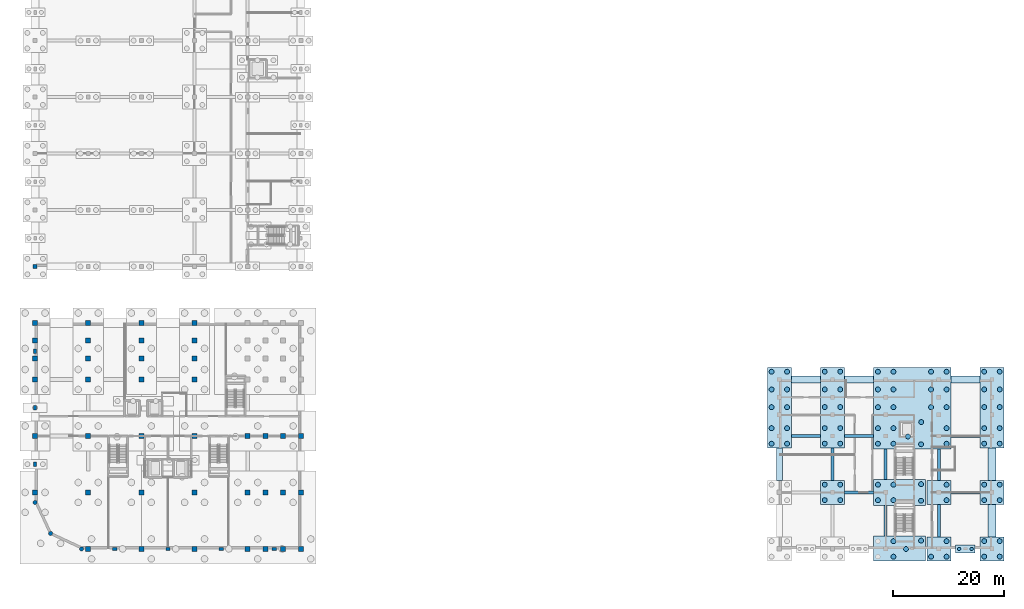
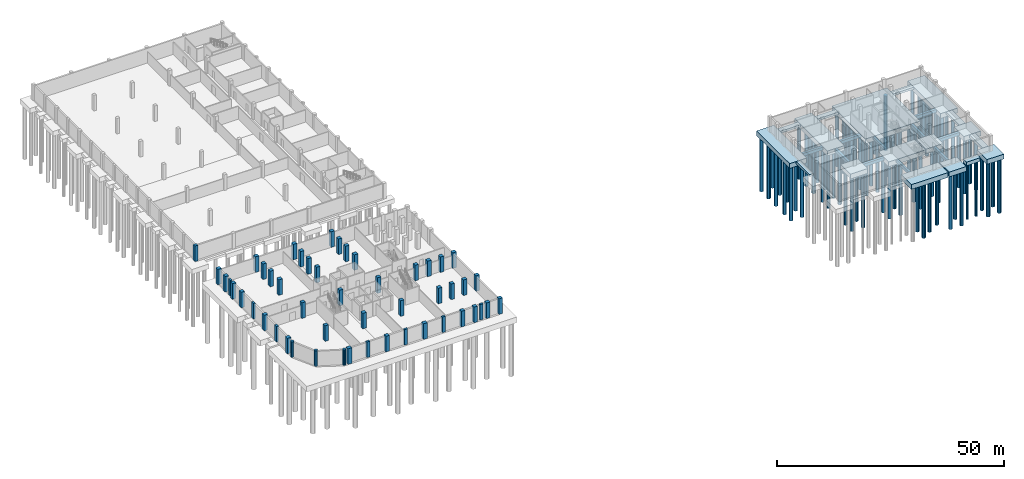
# One storey, part 5 of 18: 80 piles, 50 columns, 28 footings.
"""IFC4 building model written with IfcOpenShell, lengths in metres."""

from ifc_helpers import new_model, si_unit, direction, frame, origin, origin_2d, place, context, subcontext, project, spatial, polyline, rectangle, circle, outline, extrude, material, material_profile, profile_set, type_object, element, save


model = new_model("IFC4")

# Units and contexts
model_context = context("Model", 3, precision=1e-05, world=origin(), true_north=direction((0.0, 1.0)))
body_context = subcontext(model_context, "Body", "Model", "MODEL_VIEW")
ifc_project = project(units=[si_unit("LENGTHUNIT", "METRE"), si_unit("AREAUNIT", "SQUARE_METRE"), si_unit("VOLUMEUNIT", "CUBIC_METRE"), si_unit("PLANEANGLEUNIT", "RADIAN"), si_unit("MASSUNIT", "GRAM", prefix="KILO")], contexts=[model_context])

# Site, building, storey
site_placement = place(None, origin())
site = spatial("IfcSite", under=ifc_project, at=site_placement, CompositionType="ELEMENT")
building_placement = place(site_placement, origin())
building = spatial("IfcBuilding", under=site, at=building_placement, Name="Vondelvale Polytechnic", CompositionType="ELEMENT")
storey_placement = place(building_placement, frame((0.0, 0.0, -4.199951171875)))
storey = spatial("IfcBuildingStorey", under=building, at=storey_placement, Name="B1", CompositionType="ELEMENT", Elevation=-4.199951171875)

# Footings
ifc_material_1 = material(Name="Concrete N40 (f'c = 40 MPa)", Category="concrete")
footing_type_1 = type_object("IfcFootingType", Name="GB-550x750", PredefinedType="FOOTING_BEAM", material=ifc_material_1)
footing_1_placement = place(storey_placement, frame((0.0, 0.0, -1.150146484375)))
element("IfcFooting", 1, at=footing_1_placement, inside=storey, type_object=footing_type_1, Name="Ground tie beam GB-066", PredefinedType="FOOTING_BEAM", context=body_context, shape_type="SweptSolid", body=[
    extrude(outline(polyline([(144.27490234375, 12.3701171875), (143.72509765625, 12.3701171875), (143.72509765625, 18.22998046875), (144.27490234375, 18.22998046875), (144.27490234375, 12.3701171875)])), origin(), (0.0, 0.0, 1.0), 0.75),
])
footing_2_placement = place(storey_placement, frame((0.0, 0.0, -1.150146484375)))
element("IfcFooting", 2, at=footing_2_placement, inside=storey, type_object=footing_type_1, Name="Ground tie beam GB-067", PredefinedType="FOOTING_BEAM", context=body_context, shape_type="SweptSolid", body=[
    extrude(outline(polyline([(153.875, 2.35009765625), (153.324951171875, 2.35009765625), (153.324951171875, 7.85009765625), (153.875, 7.85009765625), (153.875, 2.35009765625)])), origin(), (0.0, 0.0, 1.0), 0.75),
])
footing_3_placement = place(storey_placement, frame((0.0, 0.0, -1.150146484375)))
element("IfcFooting", 3, at=footing_3_placement, inside=storey, type_object=footing_type_1, Name="Ground tie beam GB-068", PredefinedType="FOOTING_BEAM", context=body_context, shape_type="SweptSolid", body=[
    extrude(outline(polyline([(153.875, 12.550048828125), (153.324951171875, 12.550048828125), (153.324951171875, 18.050048828125), (153.875, 18.050048828125), (153.875, 12.550048828125)])), origin(), (0.0, 0.0, 1.0), 0.75),
])
footing_4_placement = place(storey_placement, frame((0.0, 0.0, -1.150146484375)))
element("IfcFooting", 4, at=footing_4_placement, inside=storey, type_object=footing_type_1, Name="Ground tie beam GB-069", PredefinedType="FOOTING_BEAM", context=body_context, shape_type="SweptSolid", body=[
    extrude(outline(polyline([(163.47509765625, 2.169921875), (162.925048828125, 2.169921875), (162.925048828125, 8.030029296875), (163.47509765625, 8.030029296875), (163.47509765625, 2.169921875)])), origin(), (0.0, 0.0, 1.0), 0.75),
])
footing_5_placement = place(storey_placement, frame((0.0, 0.0, -1.150146484375)))
element("IfcFooting", 5, at=footing_5_placement, inside=storey, type_object=footing_type_1, Name="Ground tie beam GB-070", PredefinedType="FOOTING_BEAM", context=body_context, shape_type="SweptSolid", body=[
    extrude(outline(polyline([(163.47509765625, 12.3701171875), (162.925048828125, 12.3701171875), (162.925048828125, 18.050048828125), (163.47509765625, 18.050048828125), (163.47509765625, 12.3701171875)])), origin(), (0.0, 0.0, 1.0), 0.75),
])
footing_type_2 = type_object("IfcFootingType", Name="GB-600x800", PredefinedType="FOOTING_BEAM", material=ifc_material_1)
footing_6_placement = place(storey_placement, frame((0.0, 0.0, -1.199951171875)))
element("IfcFooting", 6, at=footing_6_placement, inside=storey, type_object=footing_type_2, Name="Ground tie beam GB-060", PredefinedType="FOOTING_BEAM", context=body_context, shape_type="SweptSolid", body=[
    extrude(outline(polyline([(146.169921875, 9.89990234375), (146.169921875, 10.5), (151.429931640625, 10.5), (151.429931640625, 9.89990234375), (146.169921875, 9.89990234375)])), origin(), (0.0, 0.0, 1.0), 0.7998046875),
])
footing_7_placement = place(storey_placement, frame((0.0, 0.0, -1.199951171875)))
element("IfcFooting", 7, at=footing_7_placement, inside=storey, type_object=footing_type_2, Name="Ground tie beam GB-061", PredefinedType="FOOTING_BEAM", context=body_context, shape_type="SweptSolid", body=[
    extrude(outline(polyline([(165.3701171875, 9.89990234375), (165.3701171875, 10.5), (170.6298828125, 10.5), (170.6298828125, 9.89990234375), (165.3701171875, 9.89990234375)])), origin(), (0.0, 0.0, 1.0), 0.7998046875),
])
footing_8_placement = place(storey_placement, frame((0.0, 0.0, -1.199951171875)))
element("IfcFooting", 8, at=footing_8_placement, inside=storey, type_object=footing_type_2, Name="Ground tie beam GB-062", PredefinedType="FOOTING_BEAM", context=body_context, shape_type="SweptSolid", body=[
    extrude(outline(polyline([(136.570068359375, 20.10009765625), (136.570068359375, 20.699951171875), (141.830078125, 20.699951171875), (141.830078125, 20.10009765625), (136.570068359375, 20.10009765625)])), origin(), (0.0, 0.0, 1.0), 0.7998046875),
])
footing_9_placement = place(storey_placement, frame((0.0, 0.0, -1.199951171875)))
element("IfcFooting", 9, at=footing_9_placement, inside=storey, type_object=footing_type_2, Name="Ground tie beam GB-063", PredefinedType="FOOTING_BEAM", context=body_context, shape_type="SweptSolid", body=[
    extrude(outline(polyline([(146.169921875, 20.10009765625), (146.169921875, 20.699951171875), (151.429931640625, 20.699951171875), (151.429931640625, 20.10009765625), (146.169921875, 20.10009765625)])), origin(), (0.0, 0.0, 1.0), 0.7998046875),
])
footing_10_placement = place(storey_placement, frame((0.0, 0.0, -1.199951171875)))
element("IfcFooting", 10, at=footing_10_placement, inside=storey, type_object=footing_type_2, Name="Ground tie beam GB-064", PredefinedType="FOOTING_BEAM", context=body_context, shape_type="SweptSolid", body=[
    extrude(outline(polyline([(165.3701171875, 20.10009765625), (165.3701171875, 20.699951171875), (170.6298828125, 20.699951171875), (170.6298828125, 20.10009765625), (165.3701171875, 20.10009765625)])), origin(), (0.0, 0.0, 1.0), 0.7998046875),
])
footing_type_3 = type_object("IfcFootingType", Name="PC-14540x4340x1300", PredefinedType="PILE_CAP", material=ifc_material_1)
for number, where, z_axis, x_axis, name in (
    (11, (134.39990234375, 25.5, -1.7001953125), (0.0, 0.0, 1.0), (1.0, 0.0, 0.0), "Pile cap PC-199"),
    (12, (144.0, 25.5, -1.7001953125), (0.0, 0.0, 1.0), (1.0, 0.0, 0.0), "Pile cap PC-218"),
    (13, (172.800048828125, 25.5, -1.7001953125), (0.0, 0.0, 1.0), (1.0, 0.0, 0.0), "Pile cap PC-249"),
):
    element("IfcFooting", number, at=place(storey_placement, frame(where, z_axis=z_axis, x_axis=x_axis)), inside=storey, type_object=footing_type_3, Name=name, PredefinedType="PILE_CAP", context=body_context, shape_type="SweptSolid", body=[
        extrude(rectangle(XDim=4.340087890625, YDim=14.5400390625, at=origin_2d()), origin(), (0.0, 0.0, 1.0), 1.300048828125),
    ])
footing_type_4 = type_object("IfcFootingType", Name="PC-14720x13940x1300", PredefinedType="PILE_CAP", material=ifc_material_1)
footing_11_placement = place(storey_placement, frame((158.39990234375, 25.409912109375, -1.7001953125), z_axis=(0.0, 0.0, 1.0), x_axis=(1.0, 0.0, 0.0)))
element("IfcFooting", 14, at=footing_11_placement, inside=storey, type_object=footing_type_4, Name="Pile cap PC-231", PredefinedType="PILE_CAP", context=body_context, shape_type="SweptSolid", body=[
    extrude(rectangle(XDim=13.93994140625, YDim=14.719970703125, at=origin_2d()), origin(), (0.0, 0.0, 1.0), 1.300048828125),
])
footing_type_5 = type_object("IfcFootingType", Name="PC-3490x1500x1000", PredefinedType="PILE_CAP", material=ifc_material_1)
footing_12_placement = place(storey_placement, frame((168.0, 0.0, -1.400146484375), z_axis=(0.0, 0.0, 1.0), x_axis=(1.0, 0.0, 0.0)))
element("IfcFooting", 15, at=footing_12_placement, inside=storey, type_object=footing_type_5, Name="Pile cap PC-246", PredefinedType="PILE_CAP", context=body_context, shape_type="SweptSolid", body=[
    extrude(rectangle(XDim=3.489990234375, YDim=1.5, at=origin_2d()), origin(), (0.0, 0.0, 1.0), 1.0),
])
footing_type_6 = type_object("IfcFootingType", Name="PC-4340x4340x1300", PredefinedType="PILE_CAP", material=ifc_material_1)
for number, where, z_axis, x_axis, name in (
    (16, (144.0, 10.199951171875, -1.7001953125), (0.0, 0.0, 1.0), (1.0, 0.0, 0.0), "Pile cap PC-217"),
    (17, (163.199951171875, 0.0, -1.7001953125), (0.0, 0.0, 1.0), (1.0, 0.0, 0.0), "Pile cap PC-239"),
    (18, (163.199951171875, 10.199951171875, -1.7001953125), (0.0, 0.0, 1.0), (1.0, 0.0, 0.0), "Pile cap PC-240"),
    (19, (172.800048828125, 0.0, -1.7001953125), (0.0, 0.0, 1.0), (1.0, 0.0, 0.0), "Pile cap PC-247"),
    (20, (172.800048828125, 10.199951171875, -1.7001953125), (0.0, 0.0, 1.0), (1.0, 0.0, 0.0), "Pile cap PC-248"),
):
    element("IfcFooting", number, at=place(storey_placement, frame(where, z_axis=z_axis, x_axis=x_axis)), inside=storey, type_object=footing_type_6, Name=name, PredefinedType="PILE_CAP", context=body_context, shape_type="SweptSolid", body=[
        extrude(rectangle(XDim=4.340087890625, YDim=4.340087890625, at=origin_2d()), origin(), (0.0, 0.0, 1.0), 1.300048828125),
    ])
footing_type_7 = type_object("IfcFootingType", Name="PC-9340x4520x1300", PredefinedType="PILE_CAP", material=ifc_material_1)
footing_13_placement = place(storey_placement, frame((156.10009765625, 0.090087890625, -1.7001953125), z_axis=(0.0, 0.0, 1.0), x_axis=(1.0, 0.0, 0.0)))
element("IfcFooting", 21, at=footing_13_placement, inside=storey, type_object=footing_type_7, Name="Pile cap PC-229", PredefinedType="PILE_CAP", context=body_context, shape_type="SweptSolid", body=[
    extrude(rectangle(XDim=9.340087890625, YDim=4.52001953125, at=origin_2d()), origin(), (0.0, 0.0, 1.0), 1.300048828125),
])
footing_type_8 = type_object("IfcFootingType", Name="PC-9340x4700x1300", PredefinedType="PILE_CAP", material=ifc_material_1)
footing_14_placement = place(storey_placement, frame((156.10009765625, 10.199951171875, -1.7001953125), z_axis=(0.0, 0.0, 1.0), x_axis=(1.0, 0.0, 0.0)))
element("IfcFooting", 22, at=footing_14_placement, inside=storey, type_object=footing_type_8, Name="Pile cap PC-230", PredefinedType="PILE_CAP", context=body_context, shape_type="SweptSolid", body=[
    extrude(rectangle(XDim=9.340087890625, YDim=4.699951171875, at=origin_2d()), origin(), (0.0, 0.0, 1.0), 1.300048828125),
])

# Piles
ifc_material_profile_1 = material_profile(ifc_material_1, circle(Radius=0.300048828125, at=origin_2d()), Name="PILE-D600")
ifc_profile_set_1 = profile_set([ifc_material_profile_1], Name="Concrete N40 (f'c = 40 MPa)")
pile_type_1 = type_object("IfcPileType", Name="PILE-BORED-600", PredefinedType="BORED", material=ifc_profile_set_1)
for number, where, z_axis, x_axis, name in (
    (23, (166.875, 0.0, -1.25), (0.0, 0.0, -1.0), (1.0, 0.0, 0.0), "Bored pile BP-600-246-1"),
    (24, (169.125, 0.0, -1.25), (0.0, 0.0, -1.0), (1.0, 0.0, 0.0), "Bored pile BP-600-246-2"),
):
    element("IfcPile", number, at=place(storey_placement, frame(where, z_axis=z_axis, x_axis=x_axis)), inside=storey, type_object=pile_type_1, Name=name, PredefinedType="BORED", context=body_context, shape_type="SweptSolid", body=[
        extrude(circle(Radius=0.300048828125, at=origin_2d()), origin(), (0.0, 0.0, 1.0), 15.050048828125),
    ])
ifc_material_profile_2 = material_profile(ifc_material_1, circle(Radius=0.449951171875, at=origin_2d()), Name="PILE-D900")
ifc_profile_set_2 = profile_set([ifc_material_profile_2], Name="Concrete N40 (f'c = 40 MPa)")
pile_type_2 = type_object("IfcPileType", Name="PILE-BORED-900", PredefinedType="BORED", material=ifc_profile_set_2)
for number, where, z_axis, x_axis, name in (
    (25, (133.0, 19.0, -1.550048828125), (0.0, 0.0, -1.0), (1.0, 0.0, 0.0), "Bored pile BP-900-199-1"),
    (26, (135.800048828125, 19.0, -1.550048828125), (0.0, 0.0, -1.0), (1.0, 0.0, 0.0), "Bored pile BP-900-199-2"),
    (27, (133.0, 21.800048828125, -1.550048828125), (0.0, 0.0, -1.0), (1.0, 0.0, 0.0), "Bored pile BP-900-199-3"),
    (28, (135.800048828125, 21.800048828125, -1.550048828125), (0.0, 0.0, -1.0), (1.0, 0.0, 0.0), "Bored pile BP-900-199-4"),
    (29, (133.0, 25.60009765625, -1.550048828125), (0.0, 0.0, -1.0), (1.0, 0.0, 0.0), "Bored pile BP-900-199-5"),
    (30, (135.800048828125, 25.60009765625, -1.550048828125), (0.0, 0.0, -1.0), (1.0, 0.0, 0.0), "Bored pile BP-900-199-6"),
    (31, (133.0, 28.800048828125, -1.550048828125), (0.0, 0.0, -1.0), (1.0, 0.0, 0.0), "Bored pile BP-900-199-7"),
    (32, (135.800048828125, 28.800048828125, -1.550048828125), (0.0, 0.0, -1.0), (1.0, 0.0, 0.0), "Bored pile BP-900-199-8"),
    (33, (133.0, 32.0, -1.550048828125), (0.0, 0.0, -1.0), (1.0, 0.0, 0.0), "Bored pile BP-900-199-9"),
    (34, (135.800048828125, 32.0, -1.550048828125), (0.0, 0.0, -1.0), (1.0, 0.0, 0.0), "Bored pile BP-900-199-10"),
    (35, (142.60009765625, 8.800048828125, -1.550048828125), (0.0, 0.0, -1.0), (1.0, 0.0, 0.0), "Bored pile BP-900-217-1"),
    (36, (145.39990234375, 8.800048828125, -1.550048828125), (0.0, 0.0, -1.0), (1.0, 0.0, 0.0), "Bored pile BP-900-217-2"),
    (37, (142.60009765625, 11.60009765625, -1.550048828125), (0.0, 0.0, -1.0), (1.0, 0.0, 0.0), "Bored pile BP-900-217-3"),
    (38, (145.39990234375, 11.60009765625, -1.550048828125), (0.0, 0.0, -1.0), (1.0, 0.0, 0.0), "Bored pile BP-900-217-4"),
    (39, (142.60009765625, 19.0, -1.550048828125), (0.0, 0.0, -1.0), (1.0, 0.0, 0.0), "Bored pile BP-900-218-1"),
    (40, (145.39990234375, 19.0, -1.550048828125), (0.0, 0.0, -1.0), (1.0, 0.0, 0.0), "Bored pile BP-900-218-2"),
    (41, (142.60009765625, 21.800048828125, -1.550048828125), (0.0, 0.0, -1.0), (1.0, 0.0, 0.0), "Bored pile BP-900-218-3"),
    (42, (145.39990234375, 21.800048828125, -1.550048828125), (0.0, 0.0, -1.0), (1.0, 0.0, 0.0), "Bored pile BP-900-218-4"),
    (43, (142.60009765625, 25.60009765625, -1.550048828125), (0.0, 0.0, -1.0), (1.0, 0.0, 0.0), "Bored pile BP-900-218-5"),
    (44, (145.39990234375, 25.60009765625, -1.550048828125), (0.0, 0.0, -1.0), (1.0, 0.0, 0.0), "Bored pile BP-900-218-6"),
    (45, (142.60009765625, 28.800048828125, -1.550048828125), (0.0, 0.0, -1.0), (1.0, 0.0, 0.0), "Bored pile BP-900-218-7"),
    (46, (145.39990234375, 28.800048828125, -1.550048828125), (0.0, 0.0, -1.0), (1.0, 0.0, 0.0), "Bored pile BP-900-218-8"),
    (47, (142.60009765625, 32.0, -1.550048828125), (0.0, 0.0, -1.0), (1.0, 0.0, 0.0), "Bored pile BP-900-218-9"),
    (48, (145.39990234375, 32.0, -1.550048828125), (0.0, 0.0, -1.0), (1.0, 0.0, 0.0), "Bored pile BP-900-218-10"),
    (49, (155.0, -1.39990234375, -1.550048828125), (0.0, 0.0, -1.0), (1.0, 0.0, 0.0), "Bored pile BP-900-229-2"),
    (50, (155.0, 1.39990234375, -1.550048828125), (0.0, 0.0, -1.0), (1.0, 0.0, 0.0), "Bored pile BP-900-229-4"),
    (51, (157.27490234375, 0.0, -1.550048828125), (0.0, 0.0, -1.0), (1.0, 0.0, 0.0), "Bored pile BP-900-229-5"),
    (52, (160.0, 1.5, -1.550048828125), (0.0, 0.0, -1.0), (1.0, 0.0, 0.0), "Bored pile BP-900-229-6"),
    (53, (152.199951171875, 8.800048828125, -1.550048828125), (0.0, 0.0, -1.0), (1.0, 0.0, 0.0), "Bored pile BP-900-230-1"),
    (54, (155.0, 8.800048828125, -1.550048828125), (0.0, 0.0, -1.0), (1.0, 0.0, 0.0), "Bored pile BP-900-230-2"),
    (55, (152.199951171875, 11.60009765625, -1.550048828125), (0.0, 0.0, -1.0), (1.0, 0.0, 0.0), "Bored pile BP-900-230-3"),
    (56, (155.0, 11.60009765625, -1.550048828125), (0.0, 0.0, -1.0), (1.0, 0.0, 0.0), "Bored pile BP-900-230-4"),
    (57, (160.0, 8.699951171875, -1.550048828125), (0.0, 0.0, -1.0), (1.0, 0.0, 0.0), "Bored pile BP-900-230-5"),
    (58, (160.0, 11.699951171875, -1.550048828125), (0.0, 0.0, -1.0), (1.0, 0.0, 0.0), "Bored pile BP-900-230-6"),
    (59, (152.199951171875, 19.0, -1.550048828125), (0.0, 0.0, -1.0), (1.0, 0.0, 0.0), "Bored pile BP-900-231-1"),
    (60, (155.0, 19.0, -1.550048828125), (0.0, 0.0, -1.0), (1.0, 0.0, 0.0), "Bored pile BP-900-231-2"),
    (61, (152.199951171875, 21.800048828125, -1.550048828125), (0.0, 0.0, -1.0), (1.0, 0.0, 0.0), "Bored pile BP-900-231-3"),
    (62, (155.0, 21.800048828125, -1.550048828125), (0.0, 0.0, -1.0), (1.0, 0.0, 0.0), "Bored pile BP-900-231-4"),
    (63, (152.199951171875, 25.60009765625, -1.550048828125), (0.0, 0.0, -1.0), (1.0, 0.0, 0.0), "Bored pile BP-900-231-5"),
    (64, (155.0, 25.60009765625, -1.550048828125), (0.0, 0.0, -1.0), (1.0, 0.0, 0.0), "Bored pile BP-900-231-6"),
    (65, (152.199951171875, 28.800048828125, -1.550048828125), (0.0, 0.0, -1.0), (1.0, 0.0, 0.0), "Bored pile BP-900-231-7"),
    (66, (155.0, 28.800048828125, -1.550048828125), (0.0, 0.0, -1.0), (1.0, 0.0, 0.0), "Bored pile BP-900-231-8"),
    (67, (152.199951171875, 32.0, -1.550048828125), (0.0, 0.0, -1.0), (1.0, 0.0, 0.0), "Bored pile BP-900-231-9"),
    (68, (155.0, 32.0, -1.550048828125), (0.0, 0.0, -1.0), (1.0, 0.0, 0.0), "Bored pile BP-900-231-10"),
    (69, (157.625, 20.300048828125, -1.550048828125), (0.0, 0.0, -1.0), (1.0, 0.0, 0.0), "Bored pile BP-900-231-11"),
    (70, (160.0, 18.89990234375, -1.550048828125), (0.0, 0.0, -1.0), (1.0, 0.0, 0.0), "Bored pile BP-900-231-12"),
    (71, (160.02490234375, 22.89990234375, -1.550048828125), (0.0, 0.0, -1.0), (1.0, 0.0, 0.0), "Bored pile BP-900-231-13"),
    (72, (164.60009765625, 19.0, -1.550048828125), (0.0, 0.0, -1.0), (1.0, 0.0, 0.0), "Bored pile BP-900-231-14"),
    (73, (164.60009765625, 21.800048828125, -1.550048828125), (0.0, 0.0, -1.0), (1.0, 0.0, 0.0), "Bored pile BP-900-231-15"),
    (74, (161.800048828125, 25.60009765625, -1.550048828125), (0.0, 0.0, -1.0), (1.0, 0.0, 0.0), "Bored pile BP-900-231-16"),
    (75, (164.60009765625, 25.60009765625, -1.550048828125), (0.0, 0.0, -1.0), (1.0, 0.0, 0.0), "Bored pile BP-900-231-17"),
    (76, (161.800048828125, 28.800048828125, -1.550048828125), (0.0, 0.0, -1.0), (1.0, 0.0, 0.0), "Bored pile BP-900-231-18"),
    (77, (164.60009765625, 28.800048828125, -1.550048828125), (0.0, 0.0, -1.0), (1.0, 0.0, 0.0), "Bored pile BP-900-231-19"),
    (78, (161.800048828125, 32.0, -1.550048828125), (0.0, 0.0, -1.0), (1.0, 0.0, 0.0), "Bored pile BP-900-231-20"),
    (79, (164.60009765625, 32.0, -1.550048828125), (0.0, 0.0, -1.0), (1.0, 0.0, 0.0), "Bored pile BP-900-231-21"),
    (80, (161.800048828125, -1.39990234375, -1.550048828125), (0.0, 0.0, -1.0), (1.0, 0.0, 0.0), "Bored pile BP-900-239-1"),
    (81, (164.60009765625, -1.39990234375, -1.550048828125), (0.0, 0.0, -1.0), (1.0, 0.0, 0.0), "Bored pile BP-900-239-2"),
    (82, (164.60009765625, 1.39990234375, -1.550048828125), (0.0, 0.0, -1.0), (1.0, 0.0, 0.0), "Bored pile BP-900-239-3"),
    (83, (164.60009765625, 8.800048828125, -1.550048828125), (0.0, 0.0, -1.0), (1.0, 0.0, 0.0), "Bored pile BP-900-240-1"),
    (84, (164.60009765625, 11.60009765625, -1.550048828125), (0.0, 0.0, -1.0), (1.0, 0.0, 0.0), "Bored pile BP-900-240-2"),
    (85, (171.39990234375, -1.39990234375, -1.550048828125), (0.0, 0.0, -1.0), (1.0, 0.0, 0.0), "Bored pile BP-900-247-1"),
    (86, (174.199951171875, -1.39990234375, -1.550048828125), (0.0, 0.0, -1.0), (1.0, 0.0, 0.0), "Bored pile BP-900-247-2"),
    (87, (171.39990234375, 1.39990234375, -1.550048828125), (0.0, 0.0, -1.0), (1.0, 0.0, 0.0), "Bored pile BP-900-247-3"),
    (88, (174.199951171875, 1.39990234375, -1.550048828125), (0.0, 0.0, -1.0), (1.0, 0.0, 0.0), "Bored pile BP-900-247-4"),
    (89, (171.39990234375, 8.800048828125, -1.550048828125), (0.0, 0.0, -1.0), (1.0, 0.0, 0.0), "Bored pile BP-900-248-1"),
    (90, (174.199951171875, 8.800048828125, -1.550048828125), (0.0, 0.0, -1.0), (1.0, 0.0, 0.0), "Bored pile BP-900-248-2"),
    (91, (171.39990234375, 11.60009765625, -1.550048828125), (0.0, 0.0, -1.0), (1.0, 0.0, 0.0), "Bored pile BP-900-248-3"),
    (92, (174.199951171875, 11.60009765625, -1.550048828125), (0.0, 0.0, -1.0), (1.0, 0.0, 0.0), "Bored pile BP-900-248-4"),
    (93, (171.39990234375, 19.0, -1.550048828125), (0.0, 0.0, -1.0), (1.0, 0.0, 0.0), "Bored pile BP-900-249-1"),
    (94, (174.199951171875, 19.0, -1.550048828125), (0.0, 0.0, -1.0), (1.0, 0.0, 0.0), "Bored pile BP-900-249-2"),
    (95, (171.39990234375, 21.800048828125, -1.550048828125), (0.0, 0.0, -1.0), (1.0, 0.0, 0.0), "Bored pile BP-900-249-3"),
    (96, (174.199951171875, 21.800048828125, -1.550048828125), (0.0, 0.0, -1.0), (1.0, 0.0, 0.0), "Bored pile BP-900-249-4"),
    (97, (171.39990234375, 25.60009765625, -1.550048828125), (0.0, 0.0, -1.0), (1.0, 0.0, 0.0), "Bored pile BP-900-249-5"),
    (98, (174.199951171875, 25.60009765625, -1.550048828125), (0.0, 0.0, -1.0), (1.0, 0.0, 0.0), "Bored pile BP-900-249-6"),
    (99, (171.39990234375, 28.800048828125, -1.550048828125), (0.0, 0.0, -1.0), (1.0, 0.0, 0.0), "Bored pile BP-900-249-7"),
    (100, (174.199951171875, 28.800048828125, -1.550048828125), (0.0, 0.0, -1.0), (1.0, 0.0, 0.0), "Bored pile BP-900-249-8"),
    (101, (171.39990234375, 32.0, -1.550048828125), (0.0, 0.0, -1.0), (1.0, 0.0, 0.0), "Bored pile BP-900-249-9"),
    (102, (174.199951171875, 32.0, -1.550048828125), (0.0, 0.0, -1.0), (1.0, 0.0, 0.0), "Bored pile BP-900-249-10"),
):
    element("IfcPile", number, at=place(storey_placement, frame(where, z_axis=z_axis, x_axis=x_axis)), inside=storey, type_object=pile_type_2, Name=name, PredefinedType="BORED", context=body_context, shape_type="SweptSolid", body=[
        extrude(circle(Radius=0.449951171875, at=origin_2d()), origin(), (0.0, 0.0, 1.0), 14.75),
    ])

# Footings
footing_type_9 = type_object("IfcFootingType", Name="SF-1100x550", PredefinedType="STRIP_FOOTING", material=ifc_material_1)
footing_15_placement = place(storey_placement, frame((0.0, 0.0, -0.949951171875)))
element("IfcFooting", 103, at=footing_15_placement, inside=storey, type_object=footing_type_9, Name="B1 continuous strip footing SF-052", PredefinedType="STRIP_FOOTING", context=body_context, shape_type="SweptSolid", body=[
    extrude(outline(polyline([(134.949951171875, 12.3701171875), (133.85009765625, 12.3701171875), (133.85009765625, 18.22998046875), (134.949951171875, 18.22998046875), (134.949951171875, 12.3701171875)])), origin(), (0.0, 0.0, 1.0), 0.5498046875),
])
footing_type_10 = type_object("IfcFootingType", Name="SF-1200x600", PredefinedType="STRIP_FOOTING", material=ifc_material_1)
footing_16_placement = place(storey_placement, frame((0.0, 0.0, -1.0)))
element("IfcFooting", 104, at=footing_16_placement, inside=storey, type_object=footing_type_10, Name="B1 continuous strip footing SF-047", PredefinedType="STRIP_FOOTING", context=body_context, shape_type="SweptSolid", body=[
    extrude(outline(polyline([(136.570068359375, 30.0), (136.570068359375, 31.199951171875), (141.830078125, 31.199951171875), (141.830078125, 30.0), (136.570068359375, 30.0)])), origin(), (0.0, 0.0, 1.0), 0.599853515625),
])
footing_17_placement = place(storey_placement, frame((0.0, 0.0, -1.0)))
element("IfcFooting", 105, at=footing_17_placement, inside=storey, type_object=footing_type_10, Name="B1 continuous strip footing SF-048", PredefinedType="STRIP_FOOTING", context=body_context, shape_type="SweptSolid", body=[
    extrude(outline(polyline([(146.169921875, 30.0), (146.169921875, 31.199951171875), (151.429931640625, 31.199951171875), (151.429931640625, 30.0), (146.169921875, 30.0)])), origin(), (0.0, 0.0, 1.0), 0.599853515625),
])
footing_18_placement = place(storey_placement, frame((0.0, 0.0, -1.0)))
element("IfcFooting", 106, at=footing_18_placement, inside=storey, type_object=footing_type_10, Name="B1 continuous strip footing SF-049", PredefinedType="STRIP_FOOTING", context=body_context, shape_type="SweptSolid", body=[
    extrude(outline(polyline([(165.3701171875, 30.0), (165.3701171875, 31.199951171875), (170.6298828125, 31.199951171875), (170.6298828125, 30.0), (165.3701171875, 30.0)])), origin(), (0.0, 0.0, 1.0), 0.599853515625),
])
footing_type_11 = type_object("IfcFootingType", Name="SF-1500x700", PredefinedType="STRIP_FOOTING", material=ifc_material_1)
footing_19_placement = place(storey_placement, frame((0.0, 0.0, -1.10009765625)))
element("IfcFooting", 107, at=footing_19_placement, inside=storey, type_object=footing_type_11, Name="B1 continuous strip footing SF-051", PredefinedType="STRIP_FOOTING", context=body_context, shape_type="SweptSolid", body=[
    extrude(outline(polyline([(173.550048828125, 2.169921875), (172.050048828125, 2.169921875), (172.050048828125, 8.030029296875), (173.550048828125, 8.030029296875), (173.550048828125, 2.169921875)])), origin(), (0.0, 0.0, 1.0), 0.699951171875),
])
footing_20_placement = place(storey_placement, frame((0.0, 0.0, -1.10009765625)))
element("IfcFooting", 108, at=footing_20_placement, inside=storey, type_object=footing_type_11, Name="B1 continuous strip footing SF-053", PredefinedType="STRIP_FOOTING", context=body_context, shape_type="SweptSolid", body=[
    extrude(outline(polyline([(173.550048828125, 12.3701171875), (172.050048828125, 12.3701171875), (172.050048828125, 18.22998046875), (173.550048828125, 18.22998046875), (173.550048828125, 12.3701171875)])), origin(), (0.0, 0.0, 1.0), 0.699951171875),
])

# Columns
ifc_material_2 = material(Name="Concrete N50 (f'c = 50 MPa)", Category="concrete")
ifc_material_profile_3 = material_profile(ifc_material_2, rectangle(XDim=0.75, YDim=0.75, at=origin_2d()), Name="RC-COL-750x750")
ifc_profile_set_3 = profile_set([ifc_material_profile_3], Name="Concrete N50 (f'c = 50 MPa)")
column_type_1 = type_object("IfcColumnType", Name="COL-RC750", PredefinedType="COLUMN", material=ifc_profile_set_3)
column_placement = place(storey_placement, frame((0.0, 51.0, 0.0), z_axis=(0.0, 0.0, 1.0), x_axis=(1.0, 0.0, 0.0)))
element("IfcColumn", 109, at=column_placement, inside=storey, type_object=column_type_1, Name="B1 workshop column (0.0,51.0)", PredefinedType="COLUMN", context=body_context, shape_type="SweptSolid", body=[
    extrude(rectangle(XDim=0.75, YDim=0.75, at=origin_2d()), origin(), (0.0, 0.0, 1.0), 4.199951171875),
])
ifc_material_profile_4 = material_profile(ifc_material_2, rectangle(XDim=0.89990234375, YDim=0.89990234375, at=origin_2d()), Name="RC-COL-900x900")
ifc_profile_set_4 = profile_set([ifc_material_profile_4], Name="Concrete N50 (f'c = 50 MPa)")
column_type_2 = type_object("IfcColumnType", Name="COL-RC900", PredefinedType="COLUMN", material=ifc_profile_set_4)
for number, where, z_axis, x_axis, name in (
    (110, (0.0, 10.199951171875, 0.0), (0.0, 0.0, 1.0), (1.0, 0.0, 0.0), "B1 corner wing column (0.0,10.2)"),
    (111, (0.0, 20.39990234375, 0.0), (0.0, 0.0, 1.0), (1.0, 0.0, 0.0), "B1 corner wing column (0.0,20.4)"),
    (112, (0.0, 30.60009765625, 0.0), (0.0, 0.0, 1.0), (1.0, 0.0, 0.0), "B1 corner wing column (0.0,30.6)"),
    (113, (0.0, 34.39990234375, 0.0), (0.0, 0.0, 1.0), (1.0, 0.0, 0.0), "B1 corner wing column (0.0,34.4)"),
    (114, (0.0, 37.60009765625, 0.0), (0.0, 0.0, 1.0), (1.0, 0.0, 0.0), "B1 corner wing column (0.0,37.6)"),
    (115, (0.0, 40.800048828125, 0.0), (0.0, 0.0, 1.0), (1.0, 0.0, 0.0), "B1 corner wing column (0.0,40.8)"),
    (116, (9.60009765625, 0.0, 0.0), (0.0, 0.0, 1.0), (1.0, 0.0, 0.0), "B1 corner wing column (9.6,0.0)"),
    (117, (9.60009765625, 10.199951171875, 0.0), (0.0, 0.0, 1.0), (1.0, 0.0, 0.0), "B1 corner wing column (9.6,10.2)"),
    (118, (9.60009765625, 20.39990234375, 0.0), (0.0, 0.0, 1.0), (1.0, 0.0, 0.0), "B1 corner wing column (9.6,20.4)"),
    (119, (9.60009765625, 30.60009765625, 0.0), (0.0, 0.0, 1.0), (1.0, 0.0, 0.0), "B1 corner wing column (9.6,30.6)"),
    (120, (9.60009765625, 34.39990234375, 0.0), (0.0, 0.0, 1.0), (1.0, 0.0, 0.0), "B1 corner wing column (9.6,34.4)"),
    (121, (9.60009765625, 37.60009765625, 0.0), (0.0, 0.0, 1.0), (1.0, 0.0, 0.0), "B1 corner wing column (9.6,37.6)"),
    (122, (9.60009765625, 40.800048828125, 0.0), (0.0, 0.0, 1.0), (1.0, 0.0, 0.0), "B1 corner wing column (9.6,40.8)"),
    (123, (19.199951171875, 0.0, 0.0), (0.0, 0.0, 1.0), (1.0, 0.0, 0.0), "B1 corner wing column (19.2,0.0)"),
    (124, (19.199951171875, 10.199951171875, 0.0), (0.0, 0.0, 1.0), (1.0, 0.0, 0.0), "B1 corner wing column (19.2,10.2)"),
    (125, (19.199951171875, 20.39990234375, 0.0), (0.0, 0.0, 1.0), (1.0, 0.0, 0.0), "B1 corner wing column (19.2,20.4)"),
    (126, (19.199951171875, 30.60009765625, 0.0), (0.0, 0.0, 1.0), (1.0, 0.0, 0.0), "B1 corner wing column (19.2,30.6)"),
    (127, (19.199951171875, 34.39990234375, 0.0), (0.0, 0.0, 1.0), (1.0, 0.0, 0.0), "B1 corner wing column (19.2,34.4)"),
    (128, (19.199951171875, 37.60009765625, 0.0), (0.0, 0.0, 1.0), (1.0, 0.0, 0.0), "B1 corner wing column (19.2,37.6)"),
    (129, (19.199951171875, 40.800048828125, 0.0), (0.0, 0.0, 1.0), (1.0, 0.0, 0.0), "B1 corner wing column (19.2,40.8)"),
    (130, (28.800048828125, 0.0, 0.0), (0.0, 0.0, 1.0), (1.0, 0.0, 0.0), "B1 corner wing column (28.8,0.0)"),
    (131, (28.800048828125, 10.199951171875, 0.0), (0.0, 0.0, 1.0), (1.0, 0.0, 0.0), "B1 corner wing column (28.8,10.2)"),
    (132, (28.800048828125, 20.39990234375, 0.0), (0.0, 0.0, 1.0), (1.0, 0.0, 0.0), "B1 corner wing column (28.8,20.4)"),
    (133, (28.800048828125, 30.60009765625, 0.0), (0.0, 0.0, 1.0), (1.0, 0.0, 0.0), "B1 corner wing column (28.8,30.6)"),
    (134, (28.800048828125, 34.39990234375, 0.0), (0.0, 0.0, 1.0), (1.0, 0.0, 0.0), "B1 corner wing column (28.8,34.4)"),
    (135, (28.800048828125, 37.60009765625, 0.0), (0.0, 0.0, 1.0), (1.0, 0.0, 0.0), "B1 corner wing column (28.8,37.6)"),
    (136, (28.800048828125, 40.800048828125, 0.0), (0.0, 0.0, 1.0), (1.0, 0.0, 0.0), "B1 corner wing column (28.8,40.8)"),
    (137, (38.39990234375, 0.0, 0.0), (0.0, 0.0, 1.0), (1.0, 0.0, 0.0), "B1 corner wing column (38.4,0.0)"),
    (138, (38.39990234375, 10.199951171875, 0.0), (0.0, 0.0, 1.0), (1.0, 0.0, 0.0), "B1 corner wing column (38.4,10.2)"),
    (139, (38.39990234375, 20.39990234375, 0.0), (0.0, 0.0, 1.0), (1.0, 0.0, 0.0), "B1 corner wing column (38.4,20.4)"),
    (140, (41.60009765625, 0.0, 0.0), (0.0, 0.0, 1.0), (1.0, 0.0, 0.0), "B1 corner wing column (41.6,0.0)"),
    (141, (41.60009765625, 10.199951171875, 0.0), (0.0, 0.0, 1.0), (1.0, 0.0, 0.0), "B1 corner wing column (41.6,10.2)"),
    (142, (41.60009765625, 20.39990234375, 0.0), (0.0, 0.0, 1.0), (1.0, 0.0, 0.0), "B1 corner wing column (41.6,20.4)"),
    (143, (44.800048828125, 0.0, 0.0), (0.0, 0.0, 1.0), (1.0, 0.0, 0.0), "B1 corner wing column (44.8,0.0)"),
    (144, (44.800048828125, 10.199951171875, 0.0), (0.0, 0.0, 1.0), (1.0, 0.0, 0.0), "B1 corner wing column (44.8,10.2)"),
    (145, (44.800048828125, 20.39990234375, 0.0), (0.0, 0.0, 1.0), (1.0, 0.0, 0.0), "B1 corner wing column (44.8,20.4)"),
    (146, (48.0, 0.0, 0.0), (0.0, 0.0, 1.0), (1.0, 0.0, 0.0), "B1 corner wing column (48.0,0.0)"),
    (147, (48.0, 10.199951171875, 0.0), (0.0, 0.0, 1.0), (1.0, 0.0, 0.0), "B1 corner wing column (48.0,10.2)"),
    (148, (48.0, 20.39990234375, 0.0), (0.0, 0.0, 1.0), (1.0, 0.0, 0.0), "B1 corner wing column (48.0,20.4)"),
):
    element("IfcColumn", number, at=place(storey_placement, frame(where, z_axis=z_axis, x_axis=x_axis)), inside=storey, type_object=column_type_2, Name=name, PredefinedType="COLUMN", context=body_context, shape_type="SweptSolid", body=[
        extrude(rectangle(XDim=0.89990234375, YDim=0.89990234375, at=origin_2d()), origin(), (0.0, 0.0, 1.0), 4.199951171875),
    ])
ifc_material_profile_5 = material_profile(ifc_material_2, circle(Radius=0.375, at=origin_2d()), Name="RC-COL-D750")
ifc_profile_set_5 = profile_set([ifc_material_profile_5], Name="Concrete N50 (f'c = 50 MPa)")
column_type_3 = type_object("IfcColumnType", Name="COL-RCD750", PredefinedType="COLUMN", material=ifc_profile_set_5)
for number, where, z_axis, x_axis, name in (
    (149, (8.39990234375, 0.0, 0.0), (0.0, 0.0, 1.0), (0.0, 1.0, 0.0), "B1 SW corner turret pier TR-S"),
    (150, (2.800048828125, 2.800048828125, 0.0), (0.0, 0.0, 1.0), (0.707106781187, 0.707106781187, 0.0), "B1 SW corner turret pier TR-M"),
    (151, (0.0, 8.39990234375, 0.0), (0.0, 0.0, 1.0), (1.0, 0.0, 0.0), "B1 SW corner turret pier TR-W"),
):
    element("IfcColumn", number, at=place(storey_placement, frame(where, z_axis=z_axis, x_axis=x_axis)), inside=storey, type_object=column_type_3, Name=name, PredefinedType="COLUMN", context=body_context, shape_type="SweptSolid", body=[
        extrude(circle(Radius=0.375, at=origin_2d()), origin(), (0.0, 0.0, 1.0), 4.199951171875),
    ])
ifc_material_profile_6 = material_profile(ifc_material_2, rectangle(XDim=0.5, YDim=0.800048828125, at=origin_2d()), Name="RC-PIL-800x500")
ifc_profile_set_6 = profile_set([ifc_material_profile_6], Name="Concrete N50 (f'c = 50 MPa)")
column_type_4 = type_object("IfcColumnType", Name="PIL-RC800x500", PredefinedType="PILASTER", material=ifc_profile_set_6)
for number, where, z_axis, x_axis, name in (
    (152, (14.39990234375, 0.0, 0.0), (0.0, 0.0, 1.0), (0.0, 1.0, 0.0), "B1 South street brick pilaster 1"),
    (153, (24.0, 0.0, 0.0), (0.0, 0.0, 1.0), (0.0, 1.0, 0.0), "B1 South street brick pilaster 2"),
    (154, (33.60009765625, 0.0, 0.0), (0.0, 0.0, 1.0), (0.0, 1.0, 0.0), "B1 South street brick pilaster 3"),
    (155, (43.199951171875, 0.0, 0.0), (0.0, 0.0, 1.0), (0.0, 1.0, 0.0), "B1 South street brick pilaster 4"),
    (156, (0.0, 15.300048828125, 0.0), (0.0, 0.0, 1.0), (1.0, 0.0, 0.0), "B1 West street brick pilaster 1"),
    (157, (0.0, 25.5, 0.0), (0.0, 0.0, 1.0), (1.0, 0.0, 0.0), "B1 West street brick pilaster 2"),
    (158, (0.0, 35.699951171875, 0.0), (0.0, 0.0, 1.0), (1.0, 0.0, 0.0), "B1 West street brick pilaster 3"),
):
    element("IfcColumn", number, at=place(storey_placement, frame(where, z_axis=z_axis, x_axis=x_axis)), inside=storey, type_object=column_type_4, Name=name, PredefinedType="PILASTER", context=body_context, shape_type="SweptSolid", body=[
        extrude(rectangle(XDim=0.5, YDim=0.800048828125, at=origin_2d()), origin(), (0.0, 0.0, 1.0), 4.199951171875),
    ])

save(model, "model.ifc")
